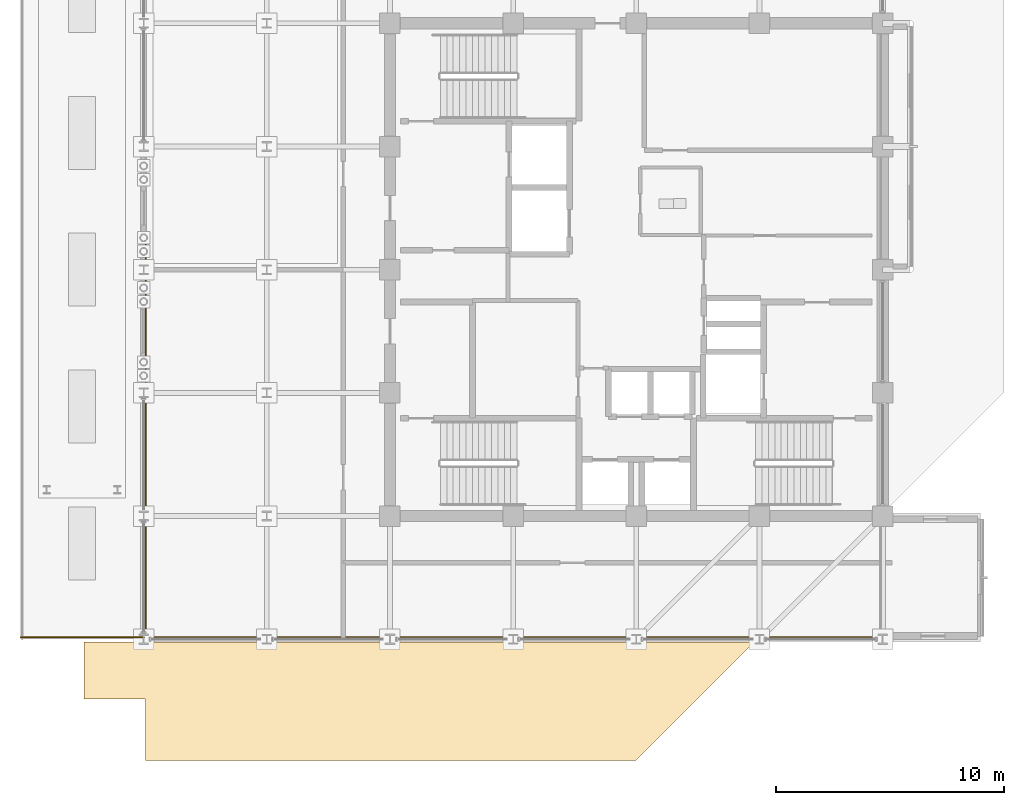
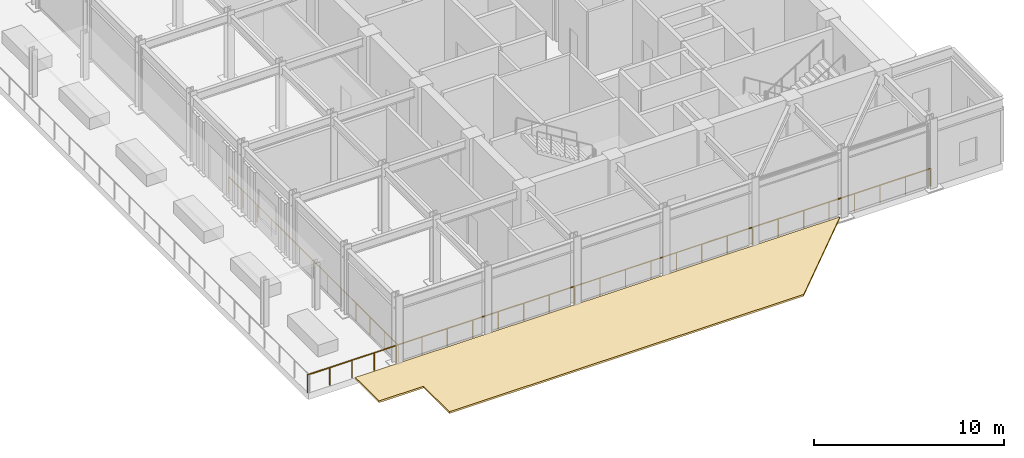
# One storey, part 17 of 22: 3 railings, 1 covering.
"""IFC4 building model written with IfcOpenShell, lengths in metres."""

from ifc_helpers import new_model, si_unit, direction, frame, origin, origin_2d, place, context, subcontext, project, spatial, polyline, circle, outline, extrude, material, layer, layer_set, type_object, element, save


model = new_model("IFC4")

# Units and contexts
model_context = context("Model", 3, precision=1e-05, world=origin(), true_north=direction((0.0, 1.0)))
body_context = subcontext(model_context, "Body", "Model", "MODEL_VIEW")
ifc_project = project(units=[si_unit("LENGTHUNIT", "METRE"), si_unit("AREAUNIT", "SQUARE_METRE"), si_unit("VOLUMEUNIT", "CUBIC_METRE"), si_unit("PLANEANGLEUNIT", "RADIAN"), si_unit("MASSUNIT", "GRAM", prefix="KILO")], contexts=[model_context])

# Site, building, storey
site_placement = place(None, origin())
site = spatial("IfcSite", under=ifc_project, at=site_placement, CompositionType="ELEMENT")
building_placement = place(site_placement, origin())
building = spatial("IfcBuilding", under=site, at=building_placement, Name="Surkhivell Harbour Commons", CompositionType="ELEMENT")
storey_placement = place(building_placement, frame((0.0, 0.0, 337.5)))
storey = spatial("IfcBuildingStorey", under=building, at=storey_placement, Name="L88", CompositionType="ELEMENT", Elevation=337.5)

# Covering
ifc_material_1 = material(Name="Inverted elastomeric waterproofing membrane and rigid insulation", Category="other")
ifc_layer = layer(ifc_material_1, 0.1201171875)
ifc_layer_set = layer_set([ifc_layer], Name="Inverted elastomeric waterproofing membrane and rigid insulation")
covering_type = type_object("IfcCoveringType", Name="COV-ROOF-MEM", PredefinedType="ROOFING", material=ifc_layer_set)
covering_placement = place(storey_placement, origin())
element("IfcCovering", 1, at=covering_placement, inside=storey, type_object=covering_type, Name="L88 Setback Waterproofing Roof Membrane 1-1", PredefinedType="ROOFING", context=body_context, shape_type="SweptSolid", body=[
    extrude(outline(polyline([(-0.033203125, -21.52001953125), (5.156982421875, -16.330078125), (-24.219970703125, -16.330078125), (-24.219970703125, -18.820068359375), (-21.52001953125, -18.820068359375), (-21.52001953125, -21.52001953125), (-0.033203125, -21.52001953125)])), origin(), (0.0, 0.0, 1.0), 0.1201171875),
])

# Railings
ifc_material_2 = material(Name="Laminated safety glass and stainless steel S355 balustrade", Category="steel")
railing_type = type_object("IfcRailingType", Name="RAL-BAL-1150", PredefinedType="BALUSTRADE", material=ifc_material_2)
railing_1_placement = place(storey_placement, frame((-21.60009765625, -16.110107421875, 0.0)))
element("IfcRailing", 2, at=railing_1_placement, inside=storey, type_object=railing_type, Name="L88 Perimeter Safety Guard 01", PredefinedType="BALUSTRADE", context=body_context, shape_type="SweptSolid", body=[
    extrude(circle(Radius=0.02392578125, at=origin_2d()), frame((0.0, 0.0, 1.1259765625), z_axis=(1.0, 0.0, 0.0), x_axis=(0.0, 1.0, 0.0)), (0.0, 0.0, 1.0), 32.400146484375),
    extrude(circle(Radius=0.02099609375, at=origin_2d()), origin(), (0.0, 0.0, 1.0), 1.101806640625),
    extrude(circle(Radius=0.02099609375, at=origin_2d()), frame((1.54296875, 0.0, 0.0)), (0.0, 0.0, 1.0), 1.101806640625),
    extrude(circle(Radius=0.02099609375, at=origin_2d()), frame((3.085693359375, 0.0, 0.0)), (0.0, 0.0, 1.0), 1.101806640625),
    extrude(circle(Radius=0.02099609375, at=origin_2d()), frame((4.628662109375, 0.0, 0.0)), (0.0, 0.0, 1.0), 1.101806640625),
    extrude(circle(Radius=0.02099609375, at=origin_2d()), frame((6.17138671875, 0.0, 0.0)), (0.0, 0.0, 1.0), 1.101806640625),
    extrude(circle(Radius=0.02099609375, at=origin_2d()), frame((7.71435546875, 0.0, 0.0)), (0.0, 0.0, 1.0), 1.101806640625),
    extrude(circle(Radius=0.02099609375, at=origin_2d()), frame((9.257080078125, 0.0, 0.0)), (0.0, 0.0, 1.0), 1.101806640625),
    extrude(circle(Radius=0.02099609375, at=origin_2d()), frame((10.800048828125, 0.0, 0.0)), (0.0, 0.0, 1.0), 1.101806640625),
    extrude(circle(Radius=0.02099609375, at=origin_2d()), frame((12.343017578125, 0.0, 0.0)), (0.0, 0.0, 1.0), 1.101806640625),
    extrude(circle(Radius=0.02099609375, at=origin_2d()), frame((13.8857421875, 0.0, 0.0)), (0.0, 0.0, 1.0), 1.101806640625),
    extrude(circle(Radius=0.02099609375, at=origin_2d()), frame((15.4287109375, 0.0, 0.0)), (0.0, 0.0, 1.0), 1.101806640625),
    extrude(circle(Radius=0.02099609375, at=origin_2d()), frame((16.971435546875, 0.0, 0.0)), (0.0, 0.0, 1.0), 1.101806640625),
    extrude(circle(Radius=0.02099609375, at=origin_2d()), frame((18.514404296875, 0.0, 0.0)), (0.0, 0.0, 1.0), 1.101806640625),
    extrude(circle(Radius=0.02099609375, at=origin_2d()), frame((20.05712890625, 0.0, 0.0)), (0.0, 0.0, 1.0), 1.101806640625),
    extrude(circle(Radius=0.02099609375, at=origin_2d()), frame((21.60009765625, 0.0, 0.0)), (0.0, 0.0, 1.0), 1.101806640625),
    extrude(circle(Radius=0.02099609375, at=origin_2d()), frame((23.14306640625, 0.0, 0.0)), (0.0, 0.0, 1.0), 1.101806640625),
    extrude(circle(Radius=0.02099609375, at=origin_2d()), frame((24.685791015625, 0.0, 0.0)), (0.0, 0.0, 1.0), 1.101806640625),
    extrude(circle(Radius=0.02099609375, at=origin_2d()), frame((26.228759765625, 0.0, 0.0)), (0.0, 0.0, 1.0), 1.101806640625),
    extrude(circle(Radius=0.02099609375, at=origin_2d()), frame((27.771484375, 0.0, 0.0)), (0.0, 0.0, 1.0), 1.101806640625),
    extrude(circle(Radius=0.02099609375, at=origin_2d()), frame((29.314453125, 0.0, 0.0)), (0.0, 0.0, 1.0), 1.101806640625),
    extrude(circle(Radius=0.02099609375, at=origin_2d()), frame((30.857177734375, 0.0, 0.0)), (0.0, 0.0, 1.0), 1.101806640625),
    extrude(circle(Radius=0.02099609375, at=origin_2d()), frame((32.400146484375, 0.0, 0.0)), (0.0, 0.0, 1.0), 1.101806640625),
])
railing_2_placement = place(storey_placement, frame((-21.510009765625, -16.14990234375, 0.0)))
element("IfcRailing", 3, at=railing_2_placement, inside=storey, type_object=railing_type, Name="L88 Perimeter Safety Guard 04A", PredefinedType="BALUSTRADE", context=body_context, shape_type="SweptSolid", body=[
    extrude(circle(Radius=0.02392578125, at=origin_2d()), frame((0.0, 0.0, 1.1259765625), z_axis=(0.0, 1.0, 0.0), x_axis=(-1.0, 0.0, 0.0)), (0.0, 0.0, 1.0), 17.7998046875),
    extrude(circle(Radius=0.02099609375, at=origin_2d()), origin(), (0.0, 0.0, 1.0), 1.101806640625),
    extrude(circle(Radius=0.02099609375, at=origin_2d()), frame((0.0, 1.4833984375, 0.0)), (0.0, 0.0, 1.0), 1.101806640625),
    extrude(circle(Radius=0.02099609375, at=origin_2d()), frame((0.0, 2.966552734375, 0.0)), (0.0, 0.0, 1.0), 1.101806640625),
    extrude(circle(Radius=0.02099609375, at=origin_2d()), frame((0.0, 4.449951171875, 0.0)), (0.0, 0.0, 1.0), 1.101806640625),
    extrude(circle(Radius=0.02099609375, at=origin_2d()), frame((0.0, 5.933349609375, 0.0)), (0.0, 0.0, 1.0), 1.101806640625),
    extrude(circle(Radius=0.02099609375, at=origin_2d()), frame((0.0, 7.41650390625, 0.0)), (0.0, 0.0, 1.0), 1.101806640625),
    extrude(circle(Radius=0.02099609375, at=origin_2d()), frame((0.0, 8.89990234375, 0.0)), (0.0, 0.0, 1.0), 1.101806640625),
    extrude(circle(Radius=0.02099609375, at=origin_2d()), frame((0.0, 10.38330078125, 0.0)), (0.0, 0.0, 1.0), 1.101806640625),
    extrude(circle(Radius=0.02099609375, at=origin_2d()), frame((0.0, 11.866455078125, 0.0)), (0.0, 0.0, 1.0), 1.101806640625),
    extrude(circle(Radius=0.02099609375, at=origin_2d()), frame((0.0, 13.349853515625, 0.0)), (0.0, 0.0, 1.0), 1.101806640625),
    extrude(circle(Radius=0.02099609375, at=origin_2d()), frame((0.0, 14.833251953125, 0.0)), (0.0, 0.0, 1.0), 1.101806640625),
    extrude(circle(Radius=0.02099609375, at=origin_2d()), frame((0.0, 16.31640625, 0.0)), (0.0, 0.0, 1.0), 1.101806640625),
    extrude(circle(Radius=0.02099609375, at=origin_2d()), frame((0.0, 17.7998046875, 0.0)), (0.0, 0.0, 1.0), 1.101806640625),
])
railing_3_placement = place(storey_placement, frame((-27.0, -16.1201171875, 0.0)))
element("IfcRailing", 4, at=railing_3_placement, inside=storey, type_object=railing_type, Name="L88 Crown Sky-Garden Balustrade 01", PredefinedType="BALUSTRADE", context=body_context, shape_type="SweptSolid", body=[
    extrude(circle(Radius=0.02392578125, at=origin_2d()), frame((0.0, 0.0, 1.1259765625), z_axis=(1.0, 0.0, 0.0), x_axis=(0.0, 1.0, 0.0)), (0.0, 0.0, 1.0), 5.39990234375),
    extrude(circle(Radius=0.02099609375, at=origin_2d()), origin(), (0.0, 0.0, 1.0), 1.101806640625),
    extrude(circle(Radius=0.02099609375, at=origin_2d()), frame((1.35009765625, 0.0, 0.0)), (0.0, 0.0, 1.0), 1.101806640625),
    extrude(circle(Radius=0.02099609375, at=origin_2d()), frame((2.699951171875, 0.0, 0.0)), (0.0, 0.0, 1.0), 1.101806640625),
    extrude(circle(Radius=0.02099609375, at=origin_2d()), frame((4.0498046875, 0.0, 0.0)), (0.0, 0.0, 1.0), 1.101806640625),
    extrude(circle(Radius=0.02099609375, at=origin_2d()), frame((5.39990234375, 0.0, 0.0)), (0.0, 0.0, 1.0), 1.101806640625),
])

save(model, "model.ifc")
